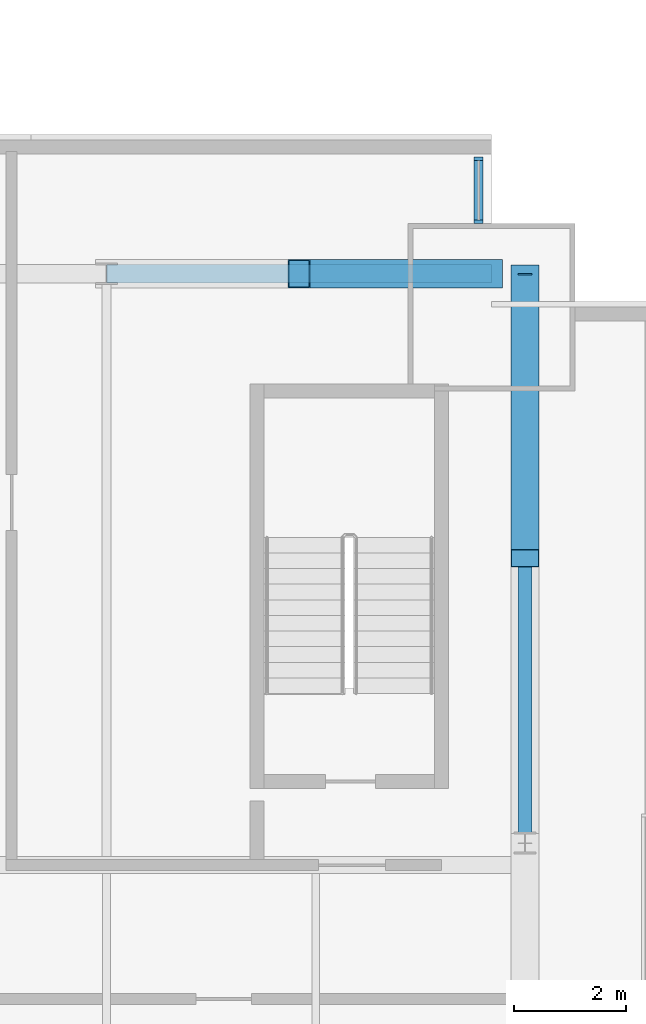
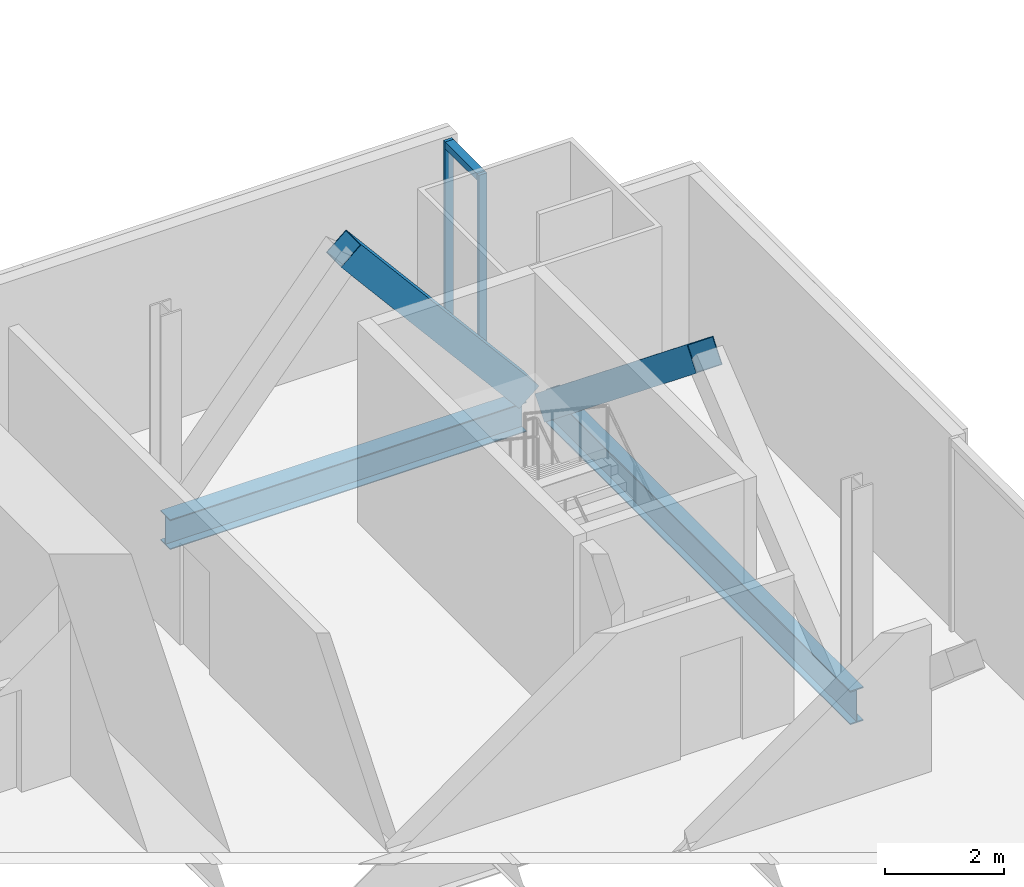
# One storey, part 14 of 22: 5 members, 2 beams, 1 element without a shape of its own.
"""IFC4 building model written with IfcOpenShell, lengths in metres."""

from ifc_helpers import new_model, si_unit, direction, frame, origin, origin_2d, place, context, subcontext, project, spatial, rectangle, hollow_rectangle, i_section, extrude, material, material_profile, profile_set, type_object, element, aggregate, save


model = new_model("IFC4")

# Units and contexts
model_context = context("Model", 3, precision=1e-05, world=origin(), true_north=direction((0.0, 1.0)))
body_context = subcontext(model_context, "Body", "Model", "MODEL_VIEW")
ifc_project = project(units=[si_unit("LENGTHUNIT", "METRE"), si_unit("AREAUNIT", "SQUARE_METRE"), si_unit("VOLUMEUNIT", "CUBIC_METRE"), si_unit("PLANEANGLEUNIT", "RADIAN"), si_unit("MASSUNIT", "GRAM", prefix="KILO")], contexts=[model_context])

# Site, building, storey
site_placement = place(None, origin())
site = spatial("IfcSite", under=ifc_project, at=site_placement, CompositionType="ELEMENT")
building_placement = place(site_placement, origin())
building = spatial("IfcBuilding", under=site, at=building_placement, Name="Bicima Exchange Tower", CompositionType="ELEMENT")
storey_placement = place(building_placement, frame((0.0, 0.0, 102.199951171875)))
storey = spatial("IfcBuildingStorey", under=building, at=storey_placement, Name="L21", CompositionType="ELEMENT", Elevation=102.199951171875)

# Beam
ifc_material_1 = material(Name="Steel ASTM A992 Gr 50", Category="steel")
ifc_material_profile_1 = material_profile(ifc_material_1, i_section(OverallWidth=0.256591796875, OverallDepth=0.693359375, WebThickness=0.014404296875, FlangeThickness=0.023681640625, at=origin_2d()))
ifc_profile_set_1 = profile_set([ifc_material_profile_1], Name="Steel ASTM A992 Gr 50")
beam_type_1 = type_object("IfcBeamType", Name="End girder W27x114", PredefinedType="BEAM", material=ifc_profile_set_1)
beam_1_placement = place(storey_placement, frame((33.60009765625, -2.39990234375, -0.49658203125), z_axis=(0.0, -1.0, 0.0), x_axis=(1.0, 0.0, 0.0)))
element("IfcBeam", 1, at=beam_1_placement, inside=storey, type_object=beam_type_1, Name="End girder", PredefinedType="BEAM", context=body_context, shape_type="SweptSolid", body=[
    extrude(i_section(OverallWidth=0.256591796875, OverallDepth=0.693359375, WebThickness=0.014404296875, FlangeThickness=0.023681640625, at=origin_2d()), origin(), (0.0, 0.0, 1.0), 10.2001953125),
])

# Curtain wall, members
ifc_material_2 = material(Name="Anodised bronze aluminium", Category="aluminium")
curtain_wall_type = type_object("IfcCurtainWallType", Name="Front glass wall", PredefinedType="NOTDEFINED", material=ifc_material_2)
curtain_wall_placement = place(storey_placement, origin())
curtain_wall = element("IfcCurtainWall", 2, at=curtain_wall_placement, inside=storey, type_object=curtain_wall_type, Name="Front glass wall L21 run 20", PredefinedType="NOTDEFINED")
ifc_material_profile_2 = material_profile(ifc_material_2, rectangle(XDim=0.159912109375, YDim=0.06005859375, at=origin_2d()))
ifc_profile_set_2 = profile_set([ifc_material_profile_2], Name="Anodised bronze aluminium")
member_type_1 = type_object("IfcMemberType", Name="Front glass wall mullion 60 x 160", PredefinedType="MULLION", material=ifc_profile_set_2)
member_1_placement = place(storey_placement, frame((32.77001953125, -1.469970703125, 0.0), z_axis=(0.0, 0.0, 1.0), x_axis=(-1.0, 0.0, 0.0)))
member_1 = element("IfcMember", 3, at=member_1_placement, type_object=member_type_1, Name="Front glass wall mullion 1", PredefinedType="MULLION", context=body_context, shape_type="SweptSolid", body=[
    extrude(rectangle(XDim=0.159912109375, YDim=0.06005859375, at=origin_2d()), origin(), (0.0, 0.0, 1.0), 3.949951171875),
])
member_2_placement = place(storey_placement, frame((32.77001953125, -0.340087890625, 0.0), z_axis=(0.0, 0.0, 1.0), x_axis=(-1.0, 0.0, 0.0)))
member_2 = element("IfcMember", 4, at=member_2_placement, type_object=member_type_1, Name="Front glass wall mullion 2", PredefinedType="MULLION", context=body_context, shape_type="SweptSolid", body=[
    extrude(rectangle(XDim=0.159912109375, YDim=0.06005859375, at=origin_2d()), origin(), (0.0, 0.0, 1.0), 3.949951171875),
])
ifc_material_profile_3 = material_profile(ifc_material_2, rectangle(XDim=0.159912109375, YDim=0.139892578125, at=origin_2d()))
ifc_profile_set_3 = profile_set([ifc_material_profile_3], Name="Anodised bronze aluminium")
member_type_2 = type_object("IfcMemberType", Name="Front glass wall transom 140 x 160", PredefinedType="USERDEFINED", material=ifc_profile_set_3)
member_3_placement = place(storey_placement, frame((32.77001953125, -1.43994140625, 3.880126953125), z_axis=(0.0, 1.0, 0.0), x_axis=(-1.0, 0.0, 0.0)))
member_3 = element("IfcMember", 5, at=member_3_placement, type_object=member_type_2, Name="Front glass wall transom 1.1", ObjectType="TRANSOM", PredefinedType="USERDEFINED", context=body_context, shape_type="SweptSolid", body=[
    extrude(rectangle(XDim=0.159912109375, YDim=0.139892578125, at=origin_2d()), origin(), (0.0, 0.0, 1.0), 1.06982421875),
])
aggregate(curtain_wall, [member_1, member_2, member_3])

# Members
ifc_material_3 = material(Name="Steel ASTM A572 Gr 50", Category="steel")
ifc_material_profile_4 = material_profile(ifc_material_3, hollow_rectangle(XDim=0.508056640625, YDim=0.508056640625, WallThickness=0.0146484375, at=origin_2d()))
ifc_profile_set_4 = profile_set([ifc_material_profile_4], Name="Steel ASTM A572 Gr 50")
member_type_3 = type_object("IfcMemberType", Name="Mega brace HSS20x20x5/8", PredefinedType="BRACE", material=ifc_profile_set_4)
member_4_placement = place(storey_placement, frame((33.0, -2.39990234375, 0.0), z_axis=(-0.643834042494, 0.0, 0.765165162384), x_axis=(0.0, -1.0, 0.0)))
element("IfcMember", 6, at=member_4_placement, inside=storey, type_object=member_type_3, Name="Mega brace rear", PredefinedType="BRACE", context=body_context, shape_type="SweptSolid", body=[
    extrude(hollow_rectangle(XDim=0.508056640625, YDim=0.508056640625, WallThickness=0.0146484375, at=origin_2d()), origin(), (0.0, 0.0, 1.0), 5.3583984375),
])
member_5_placement = place(storey_placement, frame((33.60009765625, -2.39990234375, -0.49658203125), z_axis=(0.0, -0.779392460608, 0.626536026376), x_axis=(1.0, 0.0, 0.0)))
element("IfcMember", 7, at=member_5_placement, inside=storey, type_object=member_type_3, Name="Mega brace east end", PredefinedType="BRACE", context=body_context, shape_type="SweptSolid", body=[
    extrude(hollow_rectangle(XDim=0.508056640625, YDim=0.508056640625, WallThickness=0.0146484375, at=origin_2d()), origin(), (0.0, 0.0, 1.0), 6.543701171875),
])

# Beam
ifc_material_profile_5 = material_profile(ifc_material_1, i_section(OverallWidth=0.3251953125, OverallDepth=0.612060546875, WebThickness=0.0126953125, FlangeThickness=0.01904296875, at=origin_2d()))
ifc_profile_set_5 = profile_set([ifc_material_profile_5], Name="Steel ASTM A992 Gr 50")
beam_type_2 = type_object("IfcBeamType", Name="Rear girder W24x104", PredefinedType="BEAM", material=ifc_profile_set_5)
beam_2_placement = place(storey_placement, frame((26.10009765625, -2.39990234375, -0.4560546875), z_axis=(1.0, 0.0, 0.0), x_axis=(0.0, 1.0, 0.0)))
element("IfcBeam", 8, at=beam_2_placement, inside=storey, type_object=beam_type_2, Name="Rear girder", PredefinedType="BEAM", context=body_context, shape_type="SweptSolid", body=[
    extrude(i_section(OverallWidth=0.3251953125, OverallDepth=0.612060546875, WebThickness=0.0126953125, FlangeThickness=0.01904296875, at=origin_2d()), origin(), (0.0, 0.0, 1.0), 6.89990234375),
])

save(model, "model.ifc")
